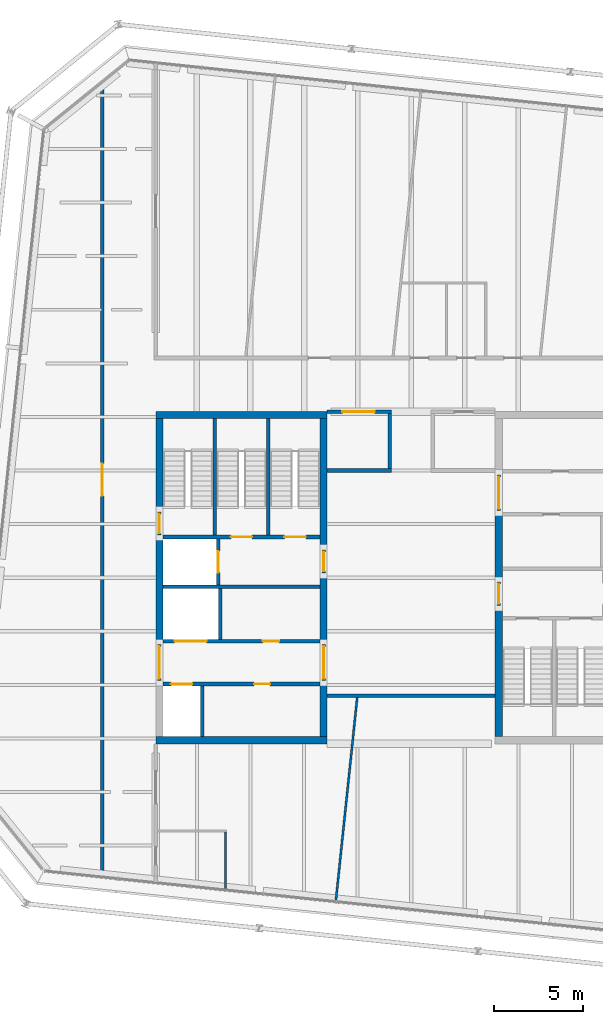
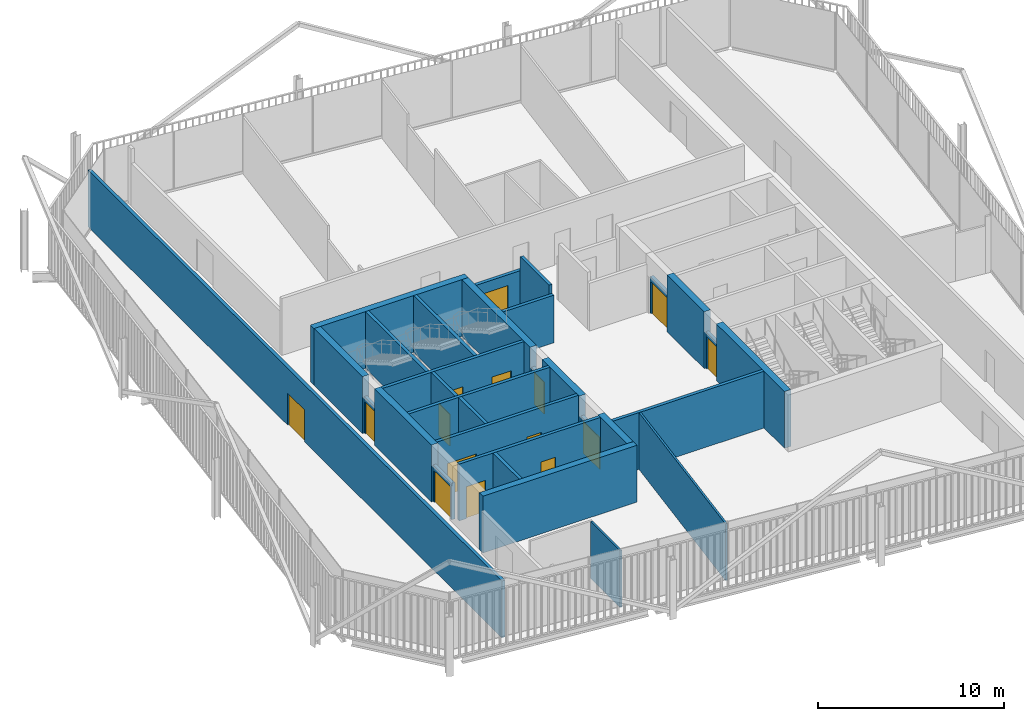
# One storey, part 17 of 21: 31 walls, 15 doors, 15 openings.
"""IFC4 building model written with IfcOpenShell, lengths in metres."""

from ifc_helpers import new_model, si_unit, direction, frame, frame_2d, origin, place, context, subcontext, project, spatial, rectangle, extrude, material, layer, layer_set, type_object, element, fill, save


model = new_model("IFC4")

# Units and contexts
model_context = context("Model", 3, precision=1e-05, world=origin(), true_north=direction((0.0, 1.0)))
body_context = subcontext(model_context, "Body", "Model", "MODEL_VIEW")
ifc_project = project(units=[si_unit("LENGTHUNIT", "METRE"), si_unit("AREAUNIT", "SQUARE_METRE"), si_unit("VOLUMEUNIT", "CUBIC_METRE"), si_unit("PLANEANGLEUNIT", "RADIAN"), si_unit("MASSUNIT", "GRAM", prefix="KILO")], contexts=[model_context])

# Site, building, storey
site_placement = place(None, origin())
site = spatial("IfcSite", under=ifc_project, at=site_placement, CompositionType="ELEMENT")
building_placement = place(site_placement, origin())
building = spatial("IfcBuilding", under=site, at=building_placement, Name="Millrace Tower", CompositionType="ELEMENT")
storey_placement = place(building_placement, frame((0.0, 0.0, 276.0)))
storey = spatial("IfcBuildingStorey", under=building, at=storey_placement, Name="L63", CompositionType="ELEMENT", Elevation=276.0)

# Walls
ifc_material_1 = material(Name="Concrete C60", Category="concrete")
ifc_layer_1 = layer(ifc_material_1, 0.39990234375)
ifc_layer_set_1 = layer_set([ifc_layer_1], Name="Concrete C60")
wall_type_1 = type_object("IfcWallType", Name="Core wall 400 Concrete C60", PredefinedType="SHEAR", material=ifc_layer_set_1)
for number, where, z_axis, x_axis, name in (
    (1, (-14.300048828125, -9.10009765625, 0.0), (0.0, 0.0, 1.0), (1.0, 0.0, 0.0), "Core wall W L63"),
    (2, (-14.300048828125, 9.10009765625, 0.0), (0.0, 0.0, 1.0), (1.0, 0.0, 0.0), "Core wall W L63"),
):
    element("IfcWall", number, at=place(storey_placement, frame(where, z_axis=z_axis, x_axis=x_axis)), inside=storey, type_object=wall_type_1, Name=name, PredefinedType="SHEAR", context=body_context, shape_type="SweptSolid", body=[
        extrude(rectangle(XDim=9.60009765625, YDim=0.39990234375, at=frame_2d((4.800048828125, 0.0))), origin(), (0.0, 0.0, 1.0), 3.739990234375),
    ])
wall_1_placement = place(storey_placement, frame((-14.10009765625, -3.75, 0.0), z_axis=(0.0, 0.0, 1.0), x_axis=(0.0, 1.0, 0.0)))
element("IfcWall", 3, at=wall_1_placement, inside=storey, type_object=wall_type_1, Name="Core wall W L63", PredefinedType="SHEAR", context=body_context, shape_type="SweptSolid", body=[
    extrude(rectangle(XDim=6.1298828125, YDim=0.39990234375, at=frame_2d((3.06494140625, 0.0))), origin(), (0.0, 0.0, 1.0), 3.739990234375),
])
wall_2_placement = place(storey_placement, frame((-14.10009765625, 3.679931640625, 0.0), z_axis=(0.0, 0.0, 1.0), x_axis=(0.0, 1.0, 0.0)))
element("IfcWall", 4, at=wall_2_placement, inside=storey, type_object=wall_type_1, Name="Core wall W L63", PredefinedType="SHEAR", context=body_context, shape_type="SweptSolid", body=[
    extrude(rectangle(XDim=5.219970703125, YDim=0.39990234375, at=frame_2d((2.60986328125, 0.0))), origin(), (0.0, 0.0, 1.0), 3.739990234375),
])
wall_3_placement = place(storey_placement, frame((-4.89990234375, -8.89990234375, 0.0), z_axis=(0.0, 0.0, 1.0), x_axis=(0.0, 1.0, 0.0)))
element("IfcWall", 5, at=wall_3_placement, inside=storey, type_object=wall_type_1, Name="Core wall W L63", PredefinedType="SHEAR", context=body_context, shape_type="SweptSolid", body=[
    extrude(rectangle(XDim=3.14990234375, YDim=0.39990234375, at=frame_2d((1.574951171875, 0.0))), origin(), (0.0, 0.0, 1.0), 3.739990234375),
])
wall_4_placement = place(storey_placement, frame((-4.89990234375, -3.75, 0.0), z_axis=(0.0, 0.0, 1.0), x_axis=(0.0, 1.0, 0.0)))
element("IfcWall", 6, at=wall_4_placement, inside=storey, type_object=wall_type_1, Name="Core wall W L63", PredefinedType="SHEAR", context=body_context, shape_type="SweptSolid", body=[
    extrude(rectangle(XDim=4.0, YDim=0.39990234375, at=frame_2d((2.0, 0.0))), origin(), (0.0, 0.0, 1.0), 3.739990234375),
])
wall_5_placement = place(storey_placement, frame((-4.89990234375, 1.550048828125, 0.0), z_axis=(0.0, 0.0, 1.0), x_axis=(0.0, 1.0, 0.0)))
element("IfcWall", 7, at=wall_5_placement, inside=storey, type_object=wall_type_1, Name="Core wall W L63", PredefinedType="SHEAR", context=body_context, shape_type="SweptSolid", body=[
    extrude(rectangle(XDim=7.349853515625, YDim=0.39990234375, at=frame_2d((3.6748046875, 0.0))), origin(), (0.0, 0.0, 1.0), 3.739990234375),
])
wall_6_placement = place(storey_placement, frame((4.89990234375, 3.75, 0.0), z_axis=(0.0, 0.0, 1.0), x_axis=(0.0, -1.0, 0.0)))
element("IfcWall", 8, at=wall_6_placement, inside=storey, type_object=wall_type_1, Name="Core wall E L63", PredefinedType="SHEAR", context=body_context, shape_type="SweptSolid", body=[
    extrude(rectangle(XDim=4.0, YDim=0.39990234375, at=frame_2d((2.0, 0.0))), origin(), (0.0, 0.0, 1.0), 3.739990234375),
])
wall_7_placement = place(storey_placement, frame((4.89990234375, -1.550048828125, 0.0), z_axis=(0.0, 0.0, 1.0), x_axis=(0.0, -1.0, 0.0)))
element("IfcWall", 9, at=wall_7_placement, inside=storey, type_object=wall_type_1, Name="Core wall E L63", PredefinedType="SHEAR", context=body_context, shape_type="SweptSolid", body=[
    extrude(rectangle(XDim=7.349853515625, YDim=0.39990234375, at=frame_2d((3.6748046875, 0.0))), origin(), (0.0, 0.0, 1.0), 3.739990234375),
])
ifc_material_2 = material(Name="Masonry partition, fire-rated", Category="masonry")
ifc_layer_2 = layer(ifc_material_2, 0.199951171875)
ifc_layer_set_2 = layer_set([ifc_layer_2], Name="Masonry partition, fire-rated")
wall_type_2 = type_object("IfcWallType", Name="Corridor wall 200", PredefinedType="PARTITIONING", material=ifc_layer_set_2)
wall_8_placement = place(storey_placement, frame((-4.699951171875, -6.60009765625, 0.0), z_axis=(0.0, 0.0, 1.0), x_axis=(1.0, 0.0, 0.0)))
element("IfcWall", 10, at=wall_8_placement, inside=storey, type_object=wall_type_2, Name="Corridor wall L63", PredefinedType="PARTITIONING", context=body_context, shape_type="SweptSolid", body=[
    extrude(rectangle(XDim=9.39990234375, YDim=0.199951171875, at=frame_2d((4.699951171875, 0.0))), origin(), (0.0, 0.0, 1.0), 3.739990234375),
])
wall_9_placement = place(storey_placement, frame((-4.699951171875, 6.0, 0.0), z_axis=(0.0, 0.0, 1.0), x_axis=(1.0, 0.0, 0.0)))
element("IfcWall", 11, at=wall_9_placement, inside=storey, type_object=wall_type_2, Name="Corridor wall L63", PredefinedType="PARTITIONING", context=body_context, shape_type="SweptSolid", body=[
    extrude(rectangle(XDim=3.599853515625, YDim=0.199951171875, at=frame_2d((1.7998046875, 0.0))), origin(), (0.0, 0.0, 1.0), 3.140625),
])

# Wall, opening, door
wall_10_placement = place(storey_placement, frame((-4.699951171875, 9.300048828125, 0.0), z_axis=(0.0, 0.0, 1.0), x_axis=(1.0, 0.0, 0.0)))
wall_10 = element("IfcWall", 12, at=wall_10_placement, inside=storey, type_object=wall_type_2, Name="Corridor wall L63", PredefinedType="PARTITIONING", context=body_context, shape_type="SweptSolid", body=[
    extrude(rectangle(XDim=3.599853515625, YDim=0.199951171875, at=frame_2d((1.7998046875, 0.0))), origin(), (0.0, 0.0, 1.0), 2.81298828125),
])
opening_1_placement = place(wall_10_placement, frame((0.85009765625, 0.0, 0.0)))
opening_1 = element("IfcOpeningElement", 13, at=opening_1_placement, cuts=wall_10, Name="Opening 63-P001", PredefinedType="OPENING", context=body_context, shape_type="SweptSolid", body=[
    extrude(rectangle(XDim=1.800048828125, YDim=2.10009765625, at=frame_2d((0.89990234375, 1.050048828125))), frame((0.0, 0.10986328125, 0.0), z_axis=(0.0, -1.0, 0.0), x_axis=(1.0, 0.0, 0.0)), (0.0, 0.0, 1.0), 0.219970703125),
])
ifc_material_3 = material(Name="Steel door set, fire-rated", Category="steel")
door_type_1 = type_object("IfcDoorType", Name="Data hall door 1800 x 2100", OperationType="DOUBLE_DOOR_SINGLE_SWING", PredefinedType="DOOR", material=ifc_material_3)
door_1_placement = place(opening_1_placement, frame((1.800048828125, 0.0, 0.0), z_axis=(0.0, 0.0, 1.0), x_axis=(-1.0, 0.0, 0.0)))
door_1 = element("IfcDoor", 14, at=door_1_placement, inside=storey, type_object=door_type_1, Name="Door 63-P001", OperationType="DOUBLE_DOOR_SINGLE_SWING", OverallHeight=2.10009765625, OverallWidth=1.800048828125, PredefinedType="DOOR", context=body_context, shape_type="SweptSolid", body=[
    extrude(rectangle(XDim=1.800048828125, YDim=2.10009765625, at=frame_2d((0.89990234375, 1.050048828125))), frame((0.0, 0.02490234375, 0.0), z_axis=(0.0, -1.0, 0.0), x_axis=(1.0, 0.0, 0.0)), (0.0, 0.0, 1.0), 0.050048828125),
])
fill(opening_1, door_1)

# Wall
wall_11_placement = place(storey_placement, frame((-1.199951171875, 6.10009765625, 0.0), z_axis=(0.0, 0.0, 1.0), x_axis=(0.0, 1.0, 0.0)))
element("IfcWall", 15, at=wall_11_placement, inside=storey, type_object=wall_type_2, Name="Corridor wall L63", PredefinedType="PARTITIONING", context=body_context, shape_type="SweptSolid", body=[
    extrude(rectangle(XDim=3.099853515625, YDim=0.199951171875, at=frame_2d((1.5498046875, 0.0))), origin(), (0.0, 0.0, 1.0), 3.739990234375),
])

# Wall, opening, door
wall_12_placement = place(storey_placement, frame((-17.300048828125, -16.716064453125, 0.0), z_axis=(0.0, 0.0, 1.0), x_axis=(0.0, 1.0, 0.0)))
wall_12 = element("IfcWall", 16, at=wall_12_placement, inside=storey, type_object=wall_type_2, Name="Corridor wall L63", PredefinedType="PARTITIONING", context=body_context, shape_type="SweptSolid", body=[
    extrude(rectangle(XDim=44.620361328125, YDim=0.199951171875, at=frame_2d((22.31005859375, 0.0))), origin(), (0.0, 0.0, 1.0), 3.739990234375),
])
opening_2_placement = place(wall_12_placement, frame((21.30322265625, 0.0, 0.0)))
opening_2 = element("IfcOpeningElement", 17, at=opening_2_placement, cuts=wall_12, Name="Opening 63-P003", PredefinedType="OPENING", context=body_context, shape_type="SweptSolid", body=[
    extrude(rectangle(XDim=1.800048828125, YDim=2.10009765625, at=frame_2d((0.89990234375, 1.050048828125))), frame((0.0, 0.10986328125, 0.0), z_axis=(0.0, -1.0, 0.0), x_axis=(1.0, 0.0, 0.0)), (0.0, 0.0, 1.0), 0.219970703125),
])
ifc_material_4 = material(Name="Steel door set, fire-rated", Category="steel")
door_type_2 = type_object("IfcDoorType", Name="Corridor door 1800 x 2100", OperationType="DOUBLE_DOOR_SINGLE_SWING", PredefinedType="DOOR", material=ifc_material_4)
door_2_placement = place(opening_2_placement, frame((1.800048828125, 0.0, 0.0), z_axis=(0.0, 0.0, 1.0), x_axis=(-1.0, 0.0, 0.0)))
door_2 = element("IfcDoor", 18, at=door_2_placement, inside=storey, type_object=door_type_2, Name="Door 63-P003", OperationType="DOUBLE_DOOR_SINGLE_SWING", OverallHeight=2.10009765625, OverallWidth=1.800048828125, PredefinedType="DOOR", context=body_context, shape_type="SweptSolid", body=[
    extrude(rectangle(XDim=1.800048828125, YDim=2.10009765625, at=frame_2d((0.89990234375, 1.050048828125))), frame((0.0, 0.02490234375, 0.0), z_axis=(0.0, -1.0, 0.0), x_axis=(1.0, 0.0, 0.0)), (0.0, 0.0, 1.0), 0.050048828125),
])
fill(opening_2, door_2)

# Wall, openings, doors
ifc_material_5 = material(Name="Masonry partition, fire-rated", Category="masonry")
ifc_layer_3 = layer(ifc_material_5, 0.199951171875)
ifc_layer_set_3 = layer_set([ifc_layer_3], Name="Masonry partition, fire-rated")
wall_type_3 = type_object("IfcWallType", Name="Lift shaft wall 200", PredefinedType="PARTITIONING", material=ifc_layer_set_3)
wall_13_placement = place(storey_placement, frame((-13.89990234375, -5.949951171875, 0.0), z_axis=(0.0, 0.0, 1.0), x_axis=(1.0, 0.0, 0.0)))
wall_13 = element("IfcWall", 19, at=wall_13_placement, inside=storey, type_object=wall_type_3, Name="Lift shaft wall W L63", PredefinedType="PARTITIONING", context=body_context, shape_type="SweptSolid", body=[
    extrude(rectangle(XDim=8.7998046875, YDim=0.199951171875, at=frame_2d((4.39990234375, 0.0))), origin(), (0.0, 0.0, 1.0), 3.739990234375),
])
opening_3_placement = place(wall_13_placement, frame((0.449951171875, 0.0, 0.0)))
opening_3 = element("IfcOpeningElement", 20, at=opening_3_placement, cuts=wall_13, Name="Opening 63-LD01", PredefinedType="OPENING", context=body_context, shape_type="SweptSolid", body=[
    extrude(rectangle(XDim=1.199951171875, YDim=2.10009765625, at=frame_2d((0.60009765625, 1.050048828125))), frame((0.0, 0.10986328125, 0.0), z_axis=(0.0, -1.0, 0.0), x_axis=(1.0, 0.0, 0.0)), (0.0, 0.0, 1.0), 0.219970703125),
])
opening_4_placement = place(wall_13_placement, frame((5.10009765625, 0.0, 0.0)))
opening_4 = element("IfcOpeningElement", 21, at=opening_4_placement, cuts=wall_13, Name="Opening 63-C005", PredefinedType="OPENING", context=body_context, shape_type="SweptSolid", body=[
    extrude(rectangle(XDim=0.89990234375, YDim=2.10009765625, at=frame_2d((0.449951171875, 1.050048828125))), frame((0.0, 0.10986328125, 0.0), z_axis=(0.0, -1.0, 0.0), x_axis=(1.0, 0.0, 0.0)), (0.0, 0.0, 1.0), 0.219970703125),
])
ifc_material_6 = material(Name="Stainless steel, fire-rated", Category="steel")
door_type_3 = type_object("IfcDoorType", Name="Lift landing door 1200 x 2100", OperationType="DOUBLE_DOOR_SLIDING", PredefinedType="DOOR", material=ifc_material_6)
door_3_placement = place(opening_3_placement, origin())
door_3 = element("IfcDoor", 22, at=door_3_placement, inside=storey, type_object=door_type_3, Name="Lift landing door LF1 L63", OperationType="DOUBLE_DOOR_SLIDING", OverallHeight=2.10009765625, OverallWidth=1.199951171875, PredefinedType="DOOR", context=body_context, shape_type="SweptSolid", body=[
    extrude(rectangle(XDim=1.199951171875, YDim=2.10009765625, at=frame_2d((0.60009765625, 1.050048828125))), frame((0.0, 0.02490234375, 0.0), z_axis=(0.0, -1.0, 0.0), x_axis=(1.0, 0.0, 0.0)), (0.0, 0.0, 1.0), 0.050048828125),
])
fill(opening_3, door_3)
ifc_material_7 = material(Name="Steel door, fire-rated", Category="steel")
door_type_4 = type_object("IfcDoorType", Name="Service room door 900 x 2100", OperationType="SINGLE_SWING_LEFT", PredefinedType="DOOR", material=ifc_material_7)
door_4_placement = place(opening_4_placement, frame((0.89990234375, 0.0, 0.0), z_axis=(0.0, 0.0, 1.0), x_axis=(-1.0, 0.0, 0.0)))
door_4 = element("IfcDoor", 23, at=door_4_placement, inside=storey, type_object=door_type_4, Name="Service room door 63-C005", OperationType="SINGLE_SWING_LEFT", OverallHeight=2.10009765625, OverallWidth=0.89990234375, PredefinedType="DOOR", context=body_context, shape_type="SweptSolid", body=[
    extrude(rectangle(XDim=0.89990234375, YDim=2.10009765625, at=frame_2d((0.449951171875, 1.050048828125))), frame((0.0, 0.02490234375, 0.0), z_axis=(0.0, -1.0, 0.0), x_axis=(1.0, 0.0, 0.0)), (0.0, 0.0, 1.0), 0.050048828125),
])
fill(opening_4, door_4)

wall_14_placement = place(storey_placement, frame((-13.89990234375, -3.550048828125, 0.0), z_axis=(0.0, 0.0, 1.0), x_axis=(1.0, 0.0, 0.0)))
wall_14 = element("IfcWall", 24, at=wall_14_placement, inside=storey, type_object=wall_type_3, Name="Lift shaft wall W L63", PredefinedType="PARTITIONING", context=body_context, shape_type="SweptSolid", body=[
    extrude(rectangle(XDim=8.7998046875, YDim=0.199951171875, at=frame_2d((4.39990234375, 0.0))), origin(), (0.0, 0.0, 1.0), 3.739990234375),
])
opening_5_placement = place(wall_14_placement, frame((0.64990234375, 0.0, 0.0)))
opening_5 = element("IfcOpeningElement", 25, at=opening_5_placement, cuts=wall_14, Name="Opening 63-LD05", PredefinedType="OPENING", context=body_context, shape_type="SweptSolid", body=[
    extrude(rectangle(XDim=1.800048828125, YDim=2.10009765625, at=frame_2d((0.89990234375, 1.050048828125))), frame((0.0, 0.10986328125, 0.0), z_axis=(0.0, -1.0, 0.0), x_axis=(1.0, 0.0, 0.0)), (0.0, 0.0, 1.0), 0.219970703125),
])
opening_6_placement = place(wall_14_placement, frame((5.60009765625, 0.0, 0.0)))
opening_6 = element("IfcOpeningElement", 26, at=opening_6_placement, cuts=wall_14, Name="Opening 63-C006", PredefinedType="OPENING", context=body_context, shape_type="SweptSolid", body=[
    extrude(rectangle(XDim=0.89990234375, YDim=2.10009765625, at=frame_2d((0.449951171875, 1.050048828125))), frame((0.0, 0.10986328125, 0.0), z_axis=(0.0, -1.0, 0.0), x_axis=(1.0, 0.0, 0.0)), (0.0, 0.0, 1.0), 0.219970703125),
])
ifc_material_8 = material(Name="Stainless steel, fire-rated", Category="steel")
door_type_5 = type_object("IfcDoorType", Name="Lift landing door 1800 x 2100", OperationType="DOUBLE_DOOR_SLIDING", PredefinedType="DOOR", material=ifc_material_8)
door_5_placement = place(opening_5_placement, origin())
door_5 = element("IfcDoor", 27, at=door_5_placement, inside=storey, type_object=door_type_5, Name="Lift landing door LF5 L63", OperationType="DOUBLE_DOOR_SLIDING", OverallHeight=2.10009765625, OverallWidth=1.800048828125, PredefinedType="DOOR", context=body_context, shape_type="SweptSolid", body=[
    extrude(rectangle(XDim=1.800048828125, YDim=2.10009765625, at=frame_2d((0.89990234375, 1.050048828125))), frame((0.0, 0.02490234375, 0.0), z_axis=(0.0, -1.0, 0.0), x_axis=(1.0, 0.0, 0.0)), (0.0, 0.0, 1.0), 0.050048828125),
])
fill(opening_5, door_5)
door_6_placement = place(opening_6_placement, origin())
door_6 = element("IfcDoor", 28, at=door_6_placement, inside=storey, type_object=door_type_4, Name="Service room door 63-C006", OperationType="SINGLE_SWING_RIGHT", OverallHeight=2.10009765625, OverallWidth=0.89990234375, PredefinedType="DOOR", context=body_context, shape_type="SweptSolid", body=[
    extrude(rectangle(XDim=0.89990234375, YDim=2.10009765625, at=frame_2d((0.449951171875, 1.050048828125))), frame((0.0, 0.02490234375, 0.0), z_axis=(0.0, -1.0, 0.0), x_axis=(1.0, 0.0, 0.0)), (0.0, 0.0, 1.0), 0.050048828125),
])
fill(opening_6, door_6)

# Wall
wall_15_placement = place(storey_placement, frame((-13.89990234375, -0.5, 0.0), z_axis=(0.0, 0.0, 1.0), x_axis=(1.0, 0.0, 0.0)))
element("IfcWall", 29, at=wall_15_placement, inside=storey, type_object=wall_type_3, Name="Lift shaft wall W L63", PredefinedType="PARTITIONING", context=body_context, shape_type="SweptSolid", body=[
    extrude(rectangle(XDim=8.7998046875, YDim=0.199951171875, at=frame_2d((4.39990234375, 0.0))), origin(), (0.0, 0.0, 1.0), 3.739990234375),
])

# Wall, opening, door
wall_16_placement = place(storey_placement, frame((-10.800048828125, -0.39990234375, 0.0), z_axis=(0.0, 0.0, 1.0), x_axis=(0.0, 1.0, 0.0)))
wall_16 = element("IfcWall", 30, at=wall_16_placement, inside=storey, type_object=wall_type_3, Name="Lift shaft wall W L63", PredefinedType="PARTITIONING", context=body_context, shape_type="SweptSolid", body=[
    extrude(rectangle(XDim=2.579833984375, YDim=0.199951171875, at=frame_2d((1.2900390625, 0.0))), origin(), (0.0, 0.0, 1.0), 3.739990234375),
])
opening_7_placement = place(wall_16_placement, frame((0.68994140625, 0.0, 0.0)))
opening_7 = element("IfcOpeningElement", 31, at=opening_7_placement, cuts=wall_16, Name="Opening 63-LD08", PredefinedType="OPENING", context=body_context, shape_type="SweptSolid", body=[
    extrude(rectangle(XDim=1.199951171875, YDim=2.10009765625, at=frame_2d((0.60009765625, 1.050048828125))), frame((0.0, 0.10986328125, 0.0), z_axis=(0.0, -1.0, 0.0), x_axis=(1.0, 0.0, 0.0)), (0.0, 0.0, 1.0), 0.219970703125),
])
door_7_placement = place(opening_7_placement, origin())
door_7 = element("IfcDoor", 32, at=door_7_placement, inside=storey, type_object=door_type_3, Name="Lift landing door LF8 L63", OperationType="DOUBLE_DOOR_SLIDING", OverallHeight=2.10009765625, OverallWidth=1.199951171875, PredefinedType="DOOR", context=body_context, shape_type="SweptSolid", body=[
    extrude(rectangle(XDim=1.199951171875, YDim=2.10009765625, at=frame_2d((0.60009765625, 1.050048828125))), frame((0.0, 0.02490234375, 0.0), z_axis=(0.0, -1.0, 0.0), x_axis=(1.0, 0.0, 0.0)), (0.0, 0.0, 1.0), 0.050048828125),
])
fill(opening_7, door_7)

# Walls
for number, where, z_axis, x_axis, name in (
    (33, (-11.699951171875, -8.89990234375, 0.0), (0.0, 0.0, 1.0), (0.0, 1.0, 0.0), "Lift shaft wall W L63"),
    (34, (-10.699951171875, -3.449951171875, 0.0), (0.0, 0.0, 1.0), (0.0, 1.0, 0.0), "Lift shaft wall W L63"),
):
    element("IfcWall", number, at=place(storey_placement, frame(where, z_axis=z_axis, x_axis=x_axis)), inside=storey, type_object=wall_type_3, Name=name, PredefinedType="PARTITIONING", context=body_context, shape_type="SweptSolid", body=[
        extrude(rectangle(XDim=2.849853515625, YDim=0.199951171875, at=frame_2d((1.4248046875, 0.0))), origin(), (0.0, 0.0, 1.0), 3.739990234375),
    ])

# Wall, opening, door
ifc_material_9 = material(Name="Masonry partition, fire-rated", Category="masonry")
ifc_layer_4 = layer(ifc_material_9, 0.199951171875)
ifc_layer_set_4 = layer_set([ifc_layer_4], Name="Masonry partition, fire-rated")
wall_type_4 = type_object("IfcWallType", Name="Lobby wall 200", PredefinedType="PARTITIONING", material=ifc_layer_set_4)
wall_17_placement = place(storey_placement, frame((-14.10009765625, -5.75, 0.0), z_axis=(0.0, 0.0, 1.0), x_axis=(0.0, 1.0, 0.0)))
wall_17 = element("IfcWall", 35, at=wall_17_placement, inside=storey, type_object=wall_type_4, Name="Lobby wall W L63", PredefinedType="PARTITIONING", context=body_context, shape_type="SweptSolid", body=[
    extrude(rectangle(XDim=2.0, YDim=0.199951171875, at=frame_2d((1.0, 0.0))), origin(), (0.0, 0.0, 1.0), 2.39990234375),
])
opening_8_placement = place(wall_17_placement, frame((0.10009765625, 0.0, 0.0)))
opening_8 = element("IfcOpeningElement", 36, at=opening_8_placement, cuts=wall_17, Name="Opening 63-C001", PredefinedType="OPENING", context=body_context, shape_type="SweptSolid", body=[
    extrude(rectangle(XDim=1.800048828125, YDim=2.10009765625, at=frame_2d((0.89990234375, 1.050048828125))), frame((0.0, 0.10986328125, 0.0), z_axis=(0.0, -1.0, 0.0), x_axis=(1.0, 0.0, 0.0)), (0.0, 0.0, 1.0), 0.219970703125),
])
ifc_material_10 = material(Name="Steel door, fire-rated", Category="steel")
door_type_6 = type_object("IfcDoorType", Name="Lobby door 1800 x 2100", OperationType="DOUBLE_DOOR_SINGLE_SWING", PredefinedType="DOOR", material=ifc_material_10)
door_8_placement = place(opening_8_placement, origin())
door_8 = element("IfcDoor", 37, at=door_8_placement, inside=storey, type_object=door_type_6, Name="Lobby door 63-C001", OperationType="DOUBLE_DOOR_SINGLE_SWING", OverallHeight=2.10009765625, OverallWidth=1.800048828125, PredefinedType="DOOR", context=body_context, shape_type="SweptSolid", body=[
    extrude(rectangle(XDim=1.800048828125, YDim=2.10009765625, at=frame_2d((0.89990234375, 1.050048828125))), frame((0.0, 0.02490234375, 0.0), z_axis=(0.0, -1.0, 0.0), x_axis=(1.0, 0.0, 0.0)), (0.0, 0.0, 1.0), 0.050048828125),
])
fill(opening_8, door_8)

wall_18_placement = place(storey_placement, frame((-4.89990234375, -5.75, 0.0), z_axis=(0.0, 0.0, 1.0), x_axis=(0.0, 1.0, 0.0)))
wall_18 = element("IfcWall", 38, at=wall_18_placement, inside=storey, type_object=wall_type_4, Name="Lobby wall W L63", PredefinedType="PARTITIONING", context=body_context, shape_type="SweptSolid", body=[
    extrude(rectangle(XDim=2.0, YDim=0.199951171875, at=frame_2d((1.0, 0.0))), origin(), (0.0, 0.0, 1.0), 2.39990234375),
])
opening_9_placement = place(wall_18_placement, frame((0.10009765625, 0.0, 0.0)))
opening_9 = element("IfcOpeningElement", 39, at=opening_9_placement, cuts=wall_18, Name="Opening 63-C003", PredefinedType="OPENING", context=body_context, shape_type="SweptSolid", body=[
    extrude(rectangle(XDim=1.800048828125, YDim=2.10009765625, at=frame_2d((0.89990234375, 1.050048828125))), frame((0.0, 0.10986328125, 0.0), z_axis=(0.0, -1.0, 0.0), x_axis=(1.0, 0.0, 0.0)), (0.0, 0.0, 1.0), 0.219970703125),
])
door_9_placement = place(opening_9_placement, frame((1.800048828125, 0.0, 0.0), z_axis=(0.0, 0.0, 1.0), x_axis=(-1.0, 0.0, 0.0)))
door_9 = element("IfcDoor", 40, at=door_9_placement, inside=storey, type_object=door_type_6, Name="Lobby door 63-C003", OperationType="DOUBLE_DOOR_SINGLE_SWING", OverallHeight=2.10009765625, OverallWidth=1.800048828125, PredefinedType="DOOR", context=body_context, shape_type="SweptSolid", body=[
    extrude(rectangle(XDim=1.800048828125, YDim=2.10009765625, at=frame_2d((0.89990234375, 1.050048828125))), frame((0.0, 0.02490234375, 0.0), z_axis=(0.0, -1.0, 0.0), x_axis=(1.0, 0.0, 0.0)), (0.0, 0.0, 1.0), 0.050048828125),
])
fill(opening_9, door_9)

wall_19_placement = place(storey_placement, frame((-4.89990234375, 0.25, 0.0), z_axis=(0.0, 0.0, 1.0), x_axis=(0.0, 1.0, 0.0)))
wall_19 = element("IfcWall", 41, at=wall_19_placement, inside=storey, type_object=wall_type_4, Name="Lobby wall W L63", PredefinedType="PARTITIONING", context=body_context, shape_type="SweptSolid", body=[
    extrude(rectangle(XDim=1.300048828125, YDim=0.199951171875, at=frame_2d((0.64990234375, 0.0))), origin(), (0.0, 0.0, 1.0), 2.39990234375),
])
opening_10_placement = place(wall_19_placement, frame((0.10009765625, 0.0, 0.0)))
opening_10 = element("IfcOpeningElement", 42, at=opening_10_placement, cuts=wall_19, Name="Opening 63-C004", PredefinedType="OPENING", context=body_context, shape_type="SweptSolid", body=[
    extrude(rectangle(XDim=1.10009765625, YDim=2.10009765625, at=frame_2d((0.550048828125, 1.050048828125))), frame((0.0, 0.10986328125, 0.0), z_axis=(0.0, -1.0, 0.0), x_axis=(1.0, 0.0, 0.0)), (0.0, 0.0, 1.0), 0.219970703125),
])
ifc_material_11 = material(Name="Steel door, fire-rated", Category="steel")
door_type_7 = type_object("IfcDoorType", Name="Lobby door 1100 x 2100", OperationType="SINGLE_SWING_LEFT", PredefinedType="DOOR", material=ifc_material_11)
door_10_placement = place(opening_10_placement, frame((1.10009765625, 0.0, 0.0), z_axis=(0.0, 0.0, 1.0), x_axis=(-1.0, 0.0, 0.0)))
door_10 = element("IfcDoor", 43, at=door_10_placement, inside=storey, type_object=door_type_7, Name="Lobby door 63-C004", OperationType="SINGLE_SWING_LEFT", OverallHeight=2.10009765625, OverallWidth=1.10009765625, PredefinedType="DOOR", context=body_context, shape_type="SweptSolid", body=[
    extrude(rectangle(XDim=1.10009765625, YDim=2.10009765625, at=frame_2d((0.550048828125, 1.050048828125))), frame((0.0, 0.02490234375, 0.0), z_axis=(0.0, -1.0, 0.0), x_axis=(1.0, 0.0, 0.0)), (0.0, 0.0, 1.0), 0.050048828125),
])
fill(opening_10, door_10)

wall_20_placement = place(storey_placement, frame((4.89990234375, 5.75, 0.0), z_axis=(0.0, 0.0, 1.0), x_axis=(0.0, -1.0, 0.0)))
wall_20 = element("IfcWall", 44, at=wall_20_placement, inside=storey, type_object=wall_type_4, Name="Lobby wall E L63", PredefinedType="PARTITIONING", context=body_context, shape_type="SweptSolid", body=[
    extrude(rectangle(XDim=2.0, YDim=0.199951171875, at=frame_2d((1.0, 0.0))), origin(), (0.0, 0.0, 1.0), 2.39990234375),
])
opening_11_placement = place(wall_20_placement, frame((0.10009765625, 0.0, 0.0)))
opening_11 = element("IfcOpeningElement", 45, at=opening_11_placement, cuts=wall_20, Name="Opening 63-C011", PredefinedType="OPENING", context=body_context, shape_type="SweptSolid", body=[
    extrude(rectangle(XDim=1.800048828125, YDim=2.10009765625, at=frame_2d((0.89990234375, 1.050048828125))), frame((0.0, 0.10986328125, 0.0), z_axis=(0.0, -1.0, 0.0), x_axis=(1.0, 0.0, 0.0)), (0.0, 0.0, 1.0), 0.219970703125),
])
door_11_placement = place(opening_11_placement, frame((1.800048828125, 0.0, 0.0), z_axis=(0.0, 0.0, 1.0), x_axis=(-1.0, 0.0, 0.0)))
door_11 = element("IfcDoor", 46, at=door_11_placement, inside=storey, type_object=door_type_6, Name="Lobby door 63-C011", OperationType="DOUBLE_DOOR_SINGLE_SWING", OverallHeight=2.10009765625, OverallWidth=1.800048828125, PredefinedType="DOOR", context=body_context, shape_type="SweptSolid", body=[
    extrude(rectangle(XDim=1.800048828125, YDim=2.10009765625, at=frame_2d((0.89990234375, 1.050048828125))), frame((0.0, 0.02490234375, 0.0), z_axis=(0.0, -1.0, 0.0), x_axis=(1.0, 0.0, 0.0)), (0.0, 0.0, 1.0), 0.050048828125),
])
fill(opening_11, door_11)

wall_21_placement = place(storey_placement, frame((4.89990234375, -0.25, 0.0), z_axis=(0.0, 0.0, 1.0), x_axis=(0.0, -1.0, 0.0)))
wall_21 = element("IfcWall", 47, at=wall_21_placement, inside=storey, type_object=wall_type_4, Name="Lobby wall E L63", PredefinedType="PARTITIONING", context=body_context, shape_type="SweptSolid", body=[
    extrude(rectangle(XDim=1.300048828125, YDim=0.199951171875, at=frame_2d((0.64990234375, 0.0))), origin(), (0.0, 0.0, 1.0), 2.39990234375),
])
opening_12_placement = place(wall_21_placement, frame((0.10009765625, 0.0, 0.0)))
opening_12 = element("IfcOpeningElement", 48, at=opening_12_placement, cuts=wall_21, Name="Opening 63-C012", PredefinedType="OPENING", context=body_context, shape_type="SweptSolid", body=[
    extrude(rectangle(XDim=1.10009765625, YDim=2.10009765625, at=frame_2d((0.550048828125, 1.050048828125))), frame((0.0, 0.10986328125, 0.0), z_axis=(0.0, -1.0, 0.0), x_axis=(1.0, 0.0, 0.0)), (0.0, 0.0, 1.0), 0.219970703125),
])
door_12_placement = place(opening_12_placement, frame((1.10009765625, 0.0, 0.0), z_axis=(0.0, 0.0, 1.0), x_axis=(-1.0, 0.0, 0.0)))
door_12 = element("IfcDoor", 49, at=door_12_placement, inside=storey, type_object=door_type_7, Name="Lobby door 63-C012", OperationType="SINGLE_SWING_RIGHT", OverallHeight=2.10009765625, OverallWidth=1.10009765625, PredefinedType="DOOR", context=body_context, shape_type="SweptSolid", body=[
    extrude(rectangle(XDim=1.10009765625, YDim=2.10009765625, at=frame_2d((0.550048828125, 1.050048828125))), frame((0.0, 0.02490234375, 0.0), z_axis=(0.0, -1.0, 0.0), x_axis=(1.0, 0.0, 0.0)), (0.0, 0.0, 1.0), 0.050048828125),
])
fill(opening_12, door_12)

# Walls
ifc_material_12 = material(Name="Gypsum board partition")
ifc_layer_5 = layer(ifc_material_12, 0.1201171875)
ifc_layer_set_5 = layer_set([ifc_layer_5], Name="Gypsum board partition")
wall_type_5 = type_object("IfcWallType", Name="Partition wall 120", PredefinedType="PARTITIONING", material=ifc_layer_set_5)
wall_22_placement = place(storey_placement, frame((-4.21826171875, -18.091064453125, 0.0), z_axis=(0.0, 0.0, 1.0), x_axis=(0.104482850971, 0.994526688356, 0.0)))
element("IfcWall", 50, at=wall_22_placement, inside=storey, type_object=wall_type_5, Name="Partition wall L63", PredefinedType="PARTITIONING", context=body_context, shape_type="SweptSolid", body=[
    extrude(rectangle(XDim=11.454345703125, YDim=0.1201171875, at=frame_2d((5.72705078125, 0.0))), origin(), (0.0, 0.0, 1.0), 3.739990234375),
])
wall_23_placement = place(storey_placement, frame((-10.39990234375, -17.44140625, 0.0), z_axis=(0.0, 0.0, 1.0), x_axis=(0.0, 1.0, 0.0)))
element("IfcWall", 51, at=wall_23_placement, inside=storey, type_object=wall_type_5, Name="Partition wall L63", PredefinedType="PARTITIONING", context=body_context, shape_type="SweptSolid", body=[
    extrude(rectangle(XDim=3.200439453125, YDim=0.1201171875, at=frame_2d((1.60009765625, 0.0))), origin(), (0.0, 0.0, 1.0), 3.739990234375),
])

# Wall, opening, door
ifc_material_13 = material(Name="Concrete C40", Category="concrete")
ifc_layer_6 = layer(ifc_material_13, 0.199951171875)
ifc_layer_set_6 = layer_set([ifc_layer_6], Name="Concrete C40")
wall_type_6 = type_object("IfcWallType", Name="Stair enclosure wall 200 Concrete C40", PredefinedType="SHEAR", material=ifc_layer_set_6)
wall_24_placement = place(storey_placement, frame((-14.10009765625, 2.3798828125, 0.0), z_axis=(0.0, 0.0, 1.0), x_axis=(0.0, 1.0, 0.0)))
wall_24 = element("IfcWall", 52, at=wall_24_placement, inside=storey, type_object=wall_type_6, Name="Stair enclosure wall W L63", PredefinedType="SHEAR", context=body_context, shape_type="SweptSolid", body=[
    extrude(rectangle(XDim=1.300048828125, YDim=0.199951171875, at=frame_2d((0.64990234375, 0.0))), origin(), (0.0, 0.0, 1.0), 2.39990234375),
])
opening_13_placement = place(wall_24_placement, frame((0.10009765625, 0.0, 0.0)))
opening_13 = element("IfcOpeningElement", 53, at=opening_13_placement, cuts=wall_24, Name="Opening 63-C002", PredefinedType="OPENING", context=body_context, shape_type="SweptSolid", body=[
    extrude(rectangle(XDim=1.10009765625, YDim=2.10009765625, at=frame_2d((0.550048828125, 1.050048828125))), frame((0.0, 0.10986328125, 0.0), z_axis=(0.0, -1.0, 0.0), x_axis=(1.0, 0.0, 0.0)), (0.0, 0.0, 1.0), 0.219970703125),
])
ifc_material_14 = material(Name="Steel door, fire-rated", Category="steel")
door_type_8 = type_object("IfcDoorType", Name="Stair door 1100 x 2100", OperationType="SINGLE_SWING_LEFT", PredefinedType="DOOR", material=ifc_material_14)
door_13_placement = place(opening_13_placement, origin())
door_13 = element("IfcDoor", 54, at=door_13_placement, inside=storey, type_object=door_type_8, Name="Stair door 63-C002", OperationType="SINGLE_SWING_LEFT", OverallHeight=2.10009765625, OverallWidth=1.10009765625, PredefinedType="DOOR", context=body_context, shape_type="SweptSolid", body=[
    extrude(rectangle(XDim=1.10009765625, YDim=2.10009765625, at=frame_2d((0.550048828125, 1.050048828125))), frame((0.0, 0.02490234375, 0.0), z_axis=(0.0, -1.0, 0.0), x_axis=(1.0, 0.0, 0.0)), (0.0, 0.0, 1.0), 0.050048828125),
])
fill(opening_13, door_13)

# Wall, openings, doors
wall_25_placement = place(storey_placement, frame((-13.89990234375, 2.280029296875, 0.0), z_axis=(0.0, 0.0, 1.0), x_axis=(1.0, 0.0, 0.0)))
wall_25 = element("IfcWall", 55, at=wall_25_placement, inside=storey, type_object=wall_type_6, Name="Stair enclosure wall W L63", PredefinedType="SHEAR", context=body_context, shape_type="SweptSolid", body=[
    extrude(rectangle(XDim=8.7998046875, YDim=0.199951171875, at=frame_2d((4.39990234375, 0.0))), origin(), (0.0, 0.0, 1.0), 3.739990234375),
])
opening_14_placement = place(wall_25_placement, frame((3.800048828125, 0.0, 0.0)))
opening_14 = element("IfcOpeningElement", 56, at=opening_14_placement, cuts=wall_25, Name="Opening 63-C007", PredefinedType="OPENING", context=body_context, shape_type="SweptSolid", body=[
    extrude(rectangle(XDim=1.199951171875, YDim=2.10009765625, at=frame_2d((0.60009765625, 1.050048828125))), frame((0.0, 0.10986328125, 0.0), z_axis=(0.0, -1.0, 0.0), x_axis=(1.0, 0.0, 0.0)), (0.0, 0.0, 1.0), 0.219970703125),
])
opening_15_placement = place(wall_25_placement, frame((6.800048828125, 0.0, 0.0)))
opening_15 = element("IfcOpeningElement", 57, at=opening_15_placement, cuts=wall_25, Name="Opening 63-C008", PredefinedType="OPENING", context=body_context, shape_type="SweptSolid", body=[
    extrude(rectangle(XDim=1.199951171875, YDim=2.10009765625, at=frame_2d((0.60009765625, 1.050048828125))), frame((0.0, 0.10986328125, 0.0), z_axis=(0.0, -1.0, 0.0), x_axis=(1.0, 0.0, 0.0)), (0.0, 0.0, 1.0), 0.219970703125),
])
ifc_material_15 = material(Name="Steel door, fire-rated", Category="steel")
door_type_9 = type_object("IfcDoorType", Name="Stair door 1200 x 2100", OperationType="SINGLE_SWING_LEFT", PredefinedType="DOOR", material=ifc_material_15)
door_14_placement = place(opening_14_placement, frame((1.199951171875, 0.0, 0.0), z_axis=(0.0, 0.0, 1.0), x_axis=(-1.0, 0.0, 0.0)))
door_14 = element("IfcDoor", 58, at=door_14_placement, inside=storey, type_object=door_type_9, Name="Stair door 63-C007", OperationType="SINGLE_SWING_RIGHT", OverallHeight=2.10009765625, OverallWidth=1.199951171875, PredefinedType="DOOR", context=body_context, shape_type="SweptSolid", body=[
    extrude(rectangle(XDim=1.199951171875, YDim=2.10009765625, at=frame_2d((0.60009765625, 1.050048828125))), frame((0.0, 0.02490234375, 0.0), z_axis=(0.0, -1.0, 0.0), x_axis=(1.0, 0.0, 0.0)), (0.0, 0.0, 1.0), 0.050048828125),
])
fill(opening_14, door_14)
door_15_placement = place(opening_15_placement, frame((1.199951171875, 0.0, 0.0), z_axis=(0.0, 0.0, 1.0), x_axis=(-1.0, 0.0, 0.0)))
door_15 = element("IfcDoor", 59, at=door_15_placement, inside=storey, type_object=door_type_9, Name="Stair door 63-C008", OperationType="SINGLE_SWING_LEFT", OverallHeight=2.10009765625, OverallWidth=1.199951171875, PredefinedType="DOOR", context=body_context, shape_type="SweptSolid", body=[
    extrude(rectangle(XDim=1.199951171875, YDim=2.10009765625, at=frame_2d((0.60009765625, 1.050048828125))), frame((0.0, 0.02490234375, 0.0), z_axis=(0.0, -1.0, 0.0), x_axis=(1.0, 0.0, 0.0)), (0.0, 0.0, 1.0), 0.050048828125),
])
fill(opening_15, door_15)

# Walls
for number, where, z_axis, x_axis, name in (
    (60, (-11.0, 2.3798828125, 0.0), (0.0, 0.0, 1.0), (0.0, 1.0, 0.0), "Stair enclosure wall W L63"),
    (61, (-8.0, 2.3798828125, 0.0), (0.0, 0.0, 1.0), (0.0, 1.0, 0.0), "Stair enclosure wall W L63"),
):
    element("IfcWall", number, at=place(storey_placement, frame(where, z_axis=z_axis, x_axis=x_axis)), inside=storey, type_object=wall_type_6, Name=name, PredefinedType="SHEAR", context=body_context, shape_type="SweptSolid", body=[
        extrude(rectangle(XDim=6.52001953125, YDim=0.199951171875, at=frame_2d((3.260009765625, 0.0))), origin(), (0.0, 0.0, 1.0), 3.739990234375),
    ])

save(model, "model.ifc")
